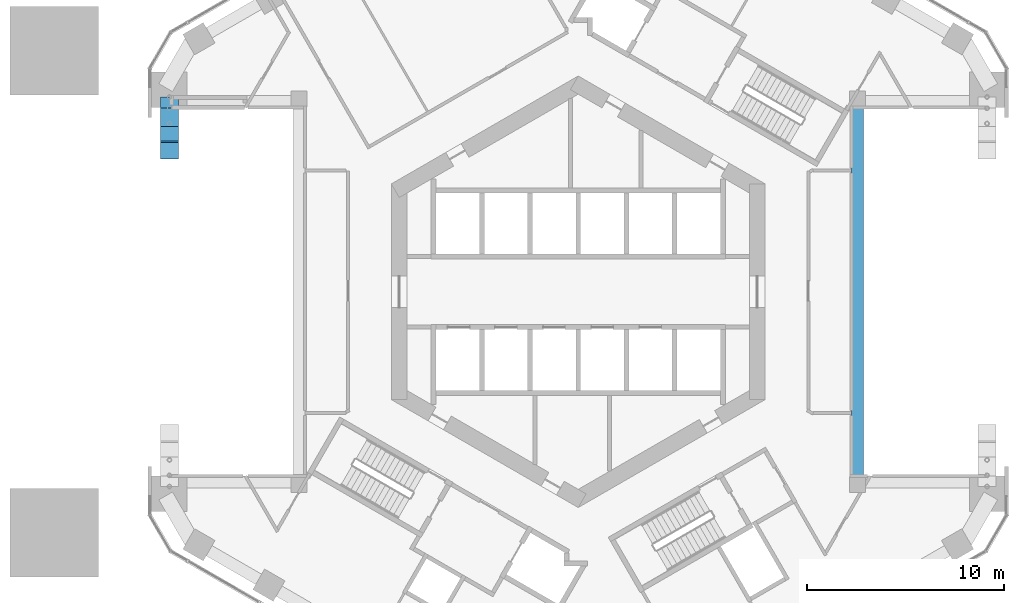
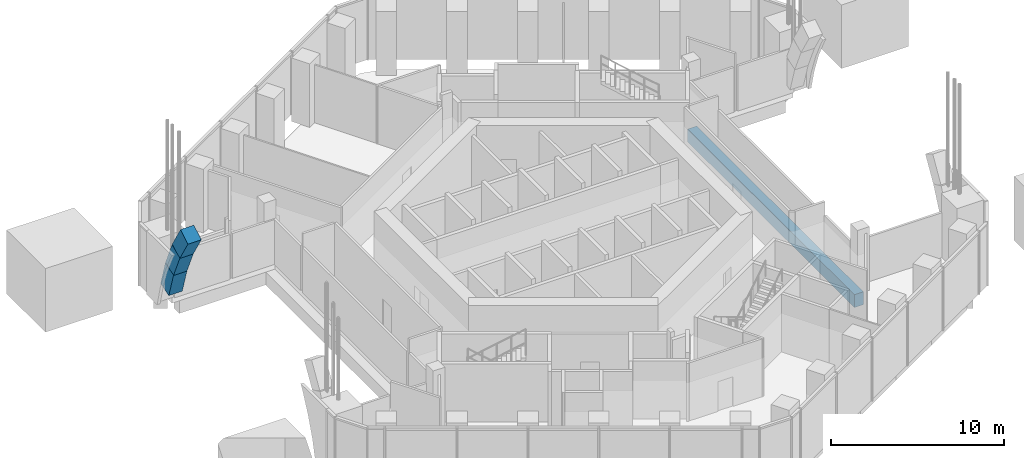
# One storey, part 5 of 14: 4 beams.
"""IFC4 building model written with IfcOpenShell, lengths in metres."""

from ifc_helpers import new_model, si_unit, direction, frame, origin, origin_2d, place, context, subcontext, project, spatial, rectangle, extrude, material, material_profile, profile_set, type_object, element, save


model = new_model("IFC4")

# Units and contexts
model_context = context("Model", 3, precision=1e-05, world=origin(), true_north=direction((0.0, 1.0)))
body_context = subcontext(model_context, "Body", "Model", "MODEL_VIEW")
ifc_project = project(units=[si_unit("LENGTHUNIT", "METRE"), si_unit("AREAUNIT", "SQUARE_METRE"), si_unit("VOLUMEUNIT", "CUBIC_METRE"), si_unit("PLANEANGLEUNIT", "RADIAN"), si_unit("MASSUNIT", "GRAM", prefix="KILO")], contexts=[model_context])

# Site, building, storey
site_placement = place(None, origin())
site = spatial("IfcSite", under=ifc_project, at=site_placement, CompositionType="ELEMENT")
building_placement = place(site_placement, origin())
building = spatial("IfcBuilding", under=site, at=building_placement, Name="Ayvan Gate Tower", CompositionType="ELEMENT")
storey_placement = place(building_placement, frame((0.0, 0.0, 7.0)))
storey = spatial("IfcBuildingStorey", under=building, at=storey_placement, Name="L01", CompositionType="ELEMENT", Elevation=7.0)

# Beams
ifc_material_1 = material(Name="Concrete C60/75", Category="concrete")
ifc_material_profile_1 = material_profile(ifc_material_1, rectangle(XDim=0.89990234375, YDim=1.0, at=origin_2d()), Name="RC 900x1000")
ifc_profile_set_1 = profile_set([ifc_material_profile_1], Name="Concrete C60/75")
beam_type_1 = type_object("IfcBeamType", Name="Arch rib RC 900x1000 C60/75", PredefinedType="BEAM", material=ifc_profile_set_1)
for number, where, z_axis, x_axis, name in (
    (1, (-20.78466796875, 9.425048828125, 0.6962890625), (0.0, -0.293791434836, 0.955869548012), (1.0, 0.0, 0.0), "AR-3-3"),
    (2, (-20.78466796875, 8.877197265625, 2.478759765625), (0.0, -0.405360834835, 0.914156766415), (1.0, 0.0, 0.0), "AR-3-4"),
    (3, (-20.78466796875, 8.121337890625, 4.183349609375), (0.0, -0.511276682663, 0.859416170295), (1.0, 0.0, 0.0), "AR-3-5"),
):
    element("IfcBeam", number, at=place(storey_placement, frame(where, z_axis=z_axis, x_axis=x_axis)), inside=storey, type_object=beam_type_1, Name=name, PredefinedType="BEAM", context=body_context, shape_type="SweptSolid", body=[
        extrude(rectangle(XDim=0.89990234375, YDim=1.0, at=origin_2d()), origin(), (0.0, 0.0, 1.0), 1.86474609375),
    ])
ifc_material_2 = material(Name="Concrete C40/50", Category="concrete")
ifc_material_profile_2 = material_profile(ifc_material_2, rectangle(XDim=0.60009765625, YDim=0.89990234375, at=origin_2d()), Name="RC 600x900")
ifc_profile_set_2 = profile_set([ifc_material_profile_2], Name="Concrete C40/50")
beam_type_2 = type_object("IfcBeamType", Name="Opening edge beam RC 600x900 C40/50", PredefinedType="BEAM", material=ifc_profile_set_2)
beam_placement = place(storey_placement, frame((14.199951171875, -9.66796875, -0.85009765625), z_axis=(0.0, 1.0, 0.0), x_axis=(-1.0, 0.0, 0.0)))
element("IfcBeam", 4, at=beam_placement, inside=storey, type_object=beam_type_2, Name="OB-L01-0-C", PredefinedType="BEAM", context=body_context, shape_type="SweptSolid", body=[
    extrude(rectangle(XDim=0.60009765625, YDim=0.89990234375, at=origin_2d()), origin(), (0.0, 0.0, 1.0), 19.3359375),
])

save(model, "model.ifc")
